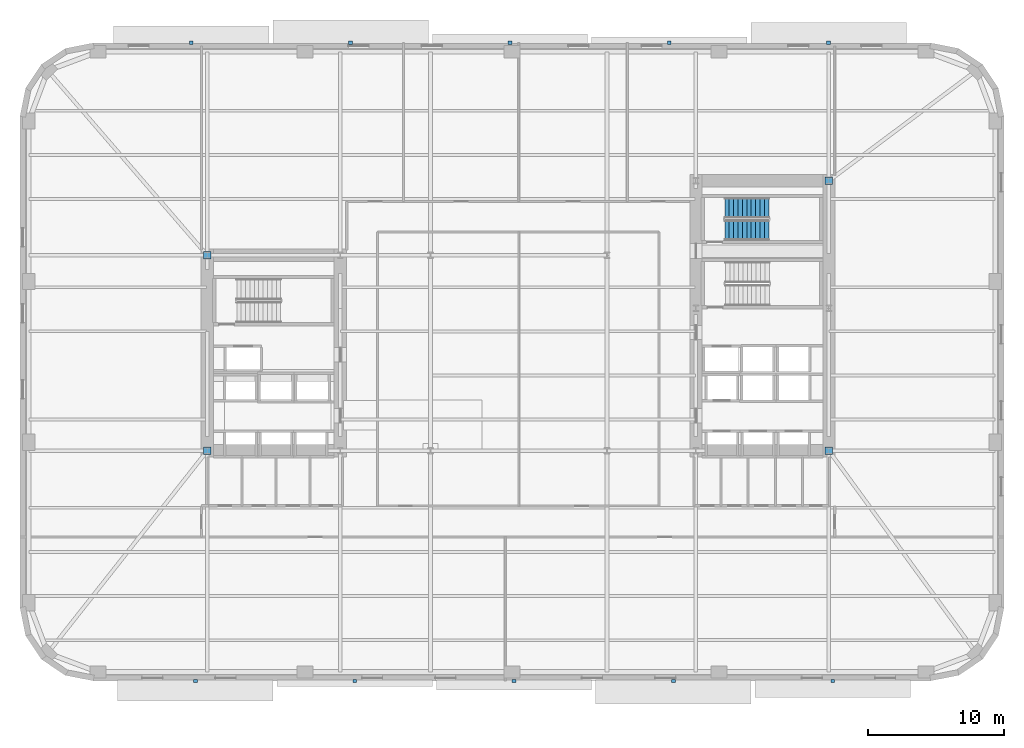
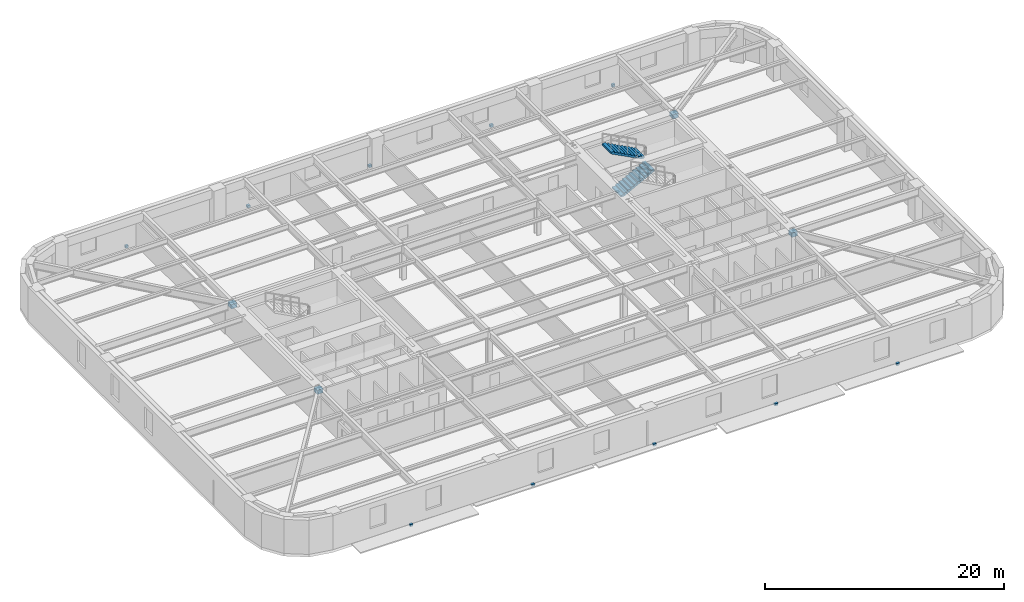
# One storey, part 8 of 15: 14 discrete accessories, 2 stair flights, 1 element without a shape of its own.
"""IFC4 building model written with IfcOpenShell, lengths in metres."""

from ifc_helpers import new_model, si_unit, direction, frame, origin, origin_2d, place, context, subcontext, project, spatial, polyline, rectangle, outline, extrude, material, type_object, element, aggregate, save


model = new_model("IFC4")

# Units and contexts
model_context = context("Model", 3, precision=1e-05, world=origin(), true_north=direction((0.0, 1.0)))
body_context = subcontext(model_context, "Body", "Model", "MODEL_VIEW")
ifc_project = project(units=[si_unit("LENGTHUNIT", "METRE"), si_unit("AREAUNIT", "SQUARE_METRE"), si_unit("VOLUMEUNIT", "CUBIC_METRE"), si_unit("PLANEANGLEUNIT", "RADIAN"), si_unit("MASSUNIT", "GRAM", prefix="KILO")], contexts=[model_context])

# Site, building, storey
site_placement = place(None, origin())
site = spatial("IfcSite", under=ifc_project, at=site_placement, CompositionType="ELEMENT")
building_placement = place(site_placement, origin())
building = spatial("IfcBuilding", under=site, at=building_placement, Name="Kolvaren Arena Tower", CompositionType="ELEMENT")
storey_placement = place(building_placement, frame((0.0, 0.0, 45.75)))
storey = spatial("IfcBuildingStorey", under=building, at=storey_placement, Name="L08", CompositionType="ELEMENT", Elevation=45.75)

# Stair, stair flights
ifc_material_1 = material(Name="Concrete 45 MPa", Category="concrete")
stair_type = type_object("IfcStairType", Name="STAIR-CORE-150", PredefinedType="HALF_TURN_STAIR", material=ifc_material_1)
stair_placement = place(storey_placement, origin())
stair = element("IfcStair", 1, at=stair_placement, inside=storey, type_object=stair_type, Name="L08 ST-E2", PredefinedType="HALF_TURN_STAIR")
stair_flight_type = type_object("IfcStairFlightType", Name="FLT-150", PredefinedType="STRAIGHT", material=ifc_material_1)
stair_flight_1_placement = place(storey_placement, frame((52.679931640625, 35.699951171875, 0.0), z_axis=(0.0, 0.0, 1.0), x_axis=(1.0, 0.0, 0.0)))
stair_flight_1 = element("IfcStairFlight", 2, at=stair_flight_1_placement, type_object=stair_flight_type, Name="ST-E2 flight 1", NumberOfRisers=11, NumberOfTreads=10, PredefinedType="STRAIGHT", RiserHeight=0.170454545, TreadLength=0.324, context=body_context, shape_type="SweptSolid", body=[
    extrude(outline(polyline([(0.0, 0.0), (0.0, 0.17041015625), (0.323974609375, 0.17041015625), (0.323974609375, 0.3408203125), (0.64794921875, 0.3408203125), (0.64794921875, 0.511474609375), (0.971923828125, 0.511474609375), (0.971923828125, 0.681884765625), (1.2958984375, 0.681884765625), (1.2958984375, 0.852294921875), (1.6201171875, 0.852294921875), (1.6201171875, 1.022705078125), (1.944091796875, 1.022705078125), (1.944091796875, 1.193115234375), (2.26806640625, 1.193115234375), (2.26806640625, 1.363525390625), (2.592041015625, 1.363525390625), (2.592041015625, 1.5341796875), (2.916015625, 1.5341796875), (2.916015625, 1.70458984375), (3.239990234375, 1.70458984375), (3.239990234375, 1.875), (3.239990234375, 1.53515625), (0.322021484375, 0.0), (0.0, 0.0)])), frame((0.0, 0.75, 0.0), z_axis=(0.0, -1.0, 0.0), x_axis=(1.0, 0.0, 0.0)), (0.0, 0.0, 1.0), 1.5),
])
stair_flight_2_placement = place(storey_placement, frame((55.919921875, 37.35009765625, 1.875), z_axis=(0.0, 0.0, 1.0), x_axis=(-1.0, 0.0, 0.0)))
stair_flight_2 = element("IfcStairFlight", 3, at=stair_flight_2_placement, type_object=stair_flight_type, Name="ST-E2 flight 2", NumberOfRisers=11, NumberOfTreads=10, PredefinedType="STRAIGHT", RiserHeight=0.170454545, TreadLength=0.324, context=body_context, shape_type="SweptSolid", body=[
    extrude(outline(polyline([(0.0, 0.0), (0.0, 0.17041015625), (0.323974609375, 0.17041015625), (0.323974609375, 0.3408203125), (0.64794921875, 0.3408203125), (0.64794921875, 0.511474609375), (0.971923828125, 0.511474609375), (0.971923828125, 0.681884765625), (1.2958984375, 0.681884765625), (1.2958984375, 0.852294921875), (1.6201171875, 0.852294921875), (1.6201171875, 1.022705078125), (1.944091796875, 1.022705078125), (1.944091796875, 1.193115234375), (2.26806640625, 1.193115234375), (2.26806640625, 1.363525390625), (2.592041015625, 1.363525390625), (2.592041015625, 1.5341796875), (2.916015625, 1.5341796875), (2.916015625, 1.70458984375), (3.239990234375, 1.70458984375), (3.239990234375, 1.875), (3.239990234375, 1.53515625), (0.322021484375, 0.0), (0.0, 0.0)])), frame((0.0, 0.75, 0.0), z_axis=(0.0, -1.0, 0.0), x_axis=(1.0, 0.0, 0.0)), (0.0, 0.0, 1.0), 1.5),
])
aggregate(stair, [stair_flight_1, stair_flight_2])

# Discrete accessories
ifc_material_2 = material(Name="Stainless steel facade support bracket", Category="steel")
discrete_accessory_type_1 = type_object("IfcDiscreteAccessoryType", Name="ACC-BRKT-1", PredefinedType="BRACKET", material=ifc_material_2)
for number, where, z_axis, x_axis, name in (
    (4, (13.3701171875, 49.52001953125, -0.18017578125), (0.0, 0.0, 1.0), (1.0, 0.0, 0.0), "Sunshade Support Bracket (L08)"),
    (5, (25.110107421875, 49.52001953125, -0.18017578125), (0.0, 0.0, 1.0), (1.0, 0.0, 0.0), "Sunshade Support Bracket (L08)"),
    (6, (36.85009765625, 49.52001953125, -0.18017578125), (0.0, 0.0, 1.0), (1.0, 0.0, 0.0), "Sunshade Support Bracket (L08)"),
    (7, (48.590087890625, 49.52001953125, -0.18017578125), (0.0, 0.0, 1.0), (1.0, 0.0, 0.0), "Sunshade Support Bracket (L08)"),
    (8, (60.330078125, 49.52001953125, -0.18017578125), (0.0, 0.0, 1.0), (1.0, 0.0, 0.0), "Sunshade Support Bracket (L08)"),
    (9, (60.6298828125, 2.47998046875, -0.18017578125), (0.0, 0.0, 1.0), (-1.0, 0.0, 0.0), "Sunshade Support Bracket (L08)"),
    (10, (48.889892578125, 2.47998046875, -0.18017578125), (0.0, 0.0, 1.0), (-1.0, 0.0, 0.0), "Sunshade Support Bracket (L08)"),
    (11, (37.14990234375, 2.47998046875, -0.18017578125), (0.0, 0.0, 1.0), (-1.0, 0.0, 0.0), "Sunshade Support Bracket (L08)"),
    (12, (25.409912109375, 2.47998046875, -0.18017578125), (0.0, 0.0, 1.0), (-1.0, 0.0, 0.0), "Sunshade Support Bracket (L08)"),
    (13, (13.669921875, 2.47998046875, -0.18017578125), (0.0, 0.0, 1.0), (-1.0, 0.0, 0.0), "Sunshade Support Bracket (L08)"),
):
    element("IfcDiscreteAccessory", number, at=place(storey_placement, frame(where, z_axis=z_axis, x_axis=x_axis)), inside=storey, type_object=discrete_accessory_type_1, Name=name, PredefinedType="BRACKET", context=body_context, shape_type="SweptSolid", body=[
        extrude(rectangle(XDim=0.280029296875, YDim=0.239990234375, at=origin_2d()), origin(), (0.0, 0.0, 1.0), 0.239990234375),
    ])
ifc_material_3 = material(Name="Steel CSA G40.21 350W bolted gusset connection", Category="steel")
discrete_accessory_type_2 = type_object("IfcDiscreteAccessoryType", Name="ACC-CONN-1", PredefinedType="BRACKET", material=ifc_material_3)
for number, where, z_axis, x_axis, name in (
    (14, (60.35009765625, 19.449951171875, 2.87353515625), (0.0, 0.0, 1.0), (1.0, 0.0, 0.0), "Core Wall Cast-In Embed Plate EP1 (L08)"),
    (15, (60.35009765625, 39.35009765625, 2.87353515625), (0.0, 0.0, 1.0), (1.0, 0.0, 0.0), "Core Wall Cast-In Embed Plate EP1 (L08)"),
    (16, (14.550048828125, 33.85009765625, 2.87353515625), (0.0, 0.0, 1.0), (1.0, 0.0, 0.0), "Core Wall Cast-In Embed Plate EP1 (L08)"),
    (17, (14.550048828125, 19.449951171875, 2.87353515625), (0.0, 0.0, 1.0), (1.0, 0.0, 0.0), "Core Wall Cast-In Embed Plate EP1 (L08)"),
):
    element("IfcDiscreteAccessory", number, at=place(storey_placement, frame(where, z_axis=z_axis, x_axis=x_axis)), inside=storey, type_object=discrete_accessory_type_2, Name=name, PredefinedType="BRACKET", context=body_context, shape_type="SweptSolid", body=[
        extrude(rectangle(XDim=0.56005859375, YDim=0.56005859375, at=origin_2d()), origin(), (0.0, 0.0, 1.0), 0.43994140625),
    ])

save(model, "model.ifc")
